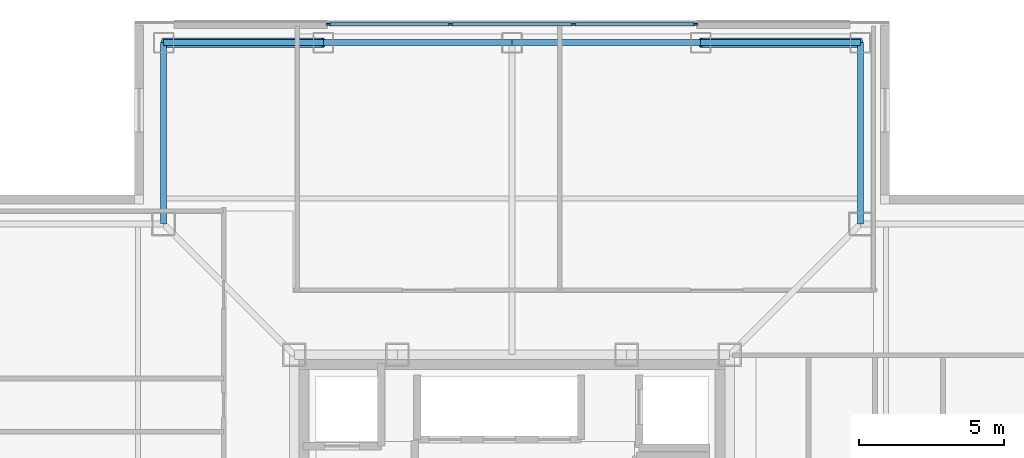
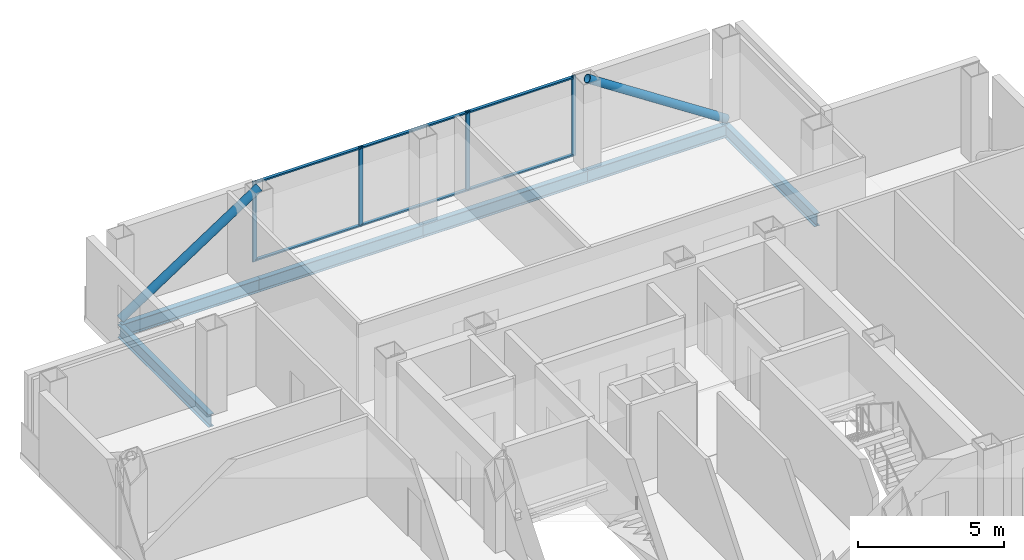
# One storey, part 7 of 16: 12 members, 6 beams, 1 element without a shape of its own.
"""IFC4 building model written with IfcOpenShell, lengths in metres."""

from ifc_helpers import new_model, si_unit, direction, frame, origin, origin_2d, place, context, subcontext, project, spatial, rectangle, hollow_circle, i_section, extrude, material, layer, layer_set, material_profile, profile_set, type_object, element, aggregate, save


model = new_model("IFC4")

# Units and contexts
model_context = context("Model", 3, precision=1e-05, world=origin(), true_north=direction((0.0, 1.0)))
body_context = subcontext(model_context, "Body", "Model", "MODEL_VIEW")
ifc_project = project(units=[si_unit("LENGTHUNIT", "METRE"), si_unit("AREAUNIT", "SQUARE_METRE"), si_unit("VOLUMEUNIT", "CUBIC_METRE"), si_unit("PLANEANGLEUNIT", "RADIAN"), si_unit("MASSUNIT", "GRAM", prefix="KILO")], contexts=[model_context])

# Site, building, storey
site_placement = place(None, origin())
site = spatial("IfcSite", under=ifc_project, at=site_placement, CompositionType="ELEMENT")
building_placement = place(site_placement, origin())
building = spatial("IfcBuilding", under=site, at=building_placement, Name="Trevonay Congress Spire", CompositionType="ELEMENT")
storey_placement = place(building_placement, frame((0.0, 0.0, 279.199951171875)))
storey = spatial("IfcBuildingStorey", under=building, at=storey_placement, Name="L73", CompositionType="ELEMENT", Elevation=279.199951171875)

# Beams
ifc_material_1 = material(Name="Steel ASTM A572 Grade 50", Category="steel")
ifc_material_profile_1 = material_profile(ifc_material_1, i_section(OverallWidth=0.208984375, OverallDepth=0.532958984375, WebThickness=0.01025390625, FlangeThickness=0.015625, FilletRadius=0.014892578125, at=origin_2d()), Name="W530x92")
ifc_profile_set_1 = profile_set([ifc_material_profile_1], Name="Steel ASTM A572 Grade 50")
beam_type = type_object("IfcBeamType", Name="BM-RING-W530X92", PredefinedType="BEAM", material=ifc_profile_set_1)
beam_1_placement = place(storey_placement, frame((-12.0, 18.25, -0.50634765625), z_axis=(1.0, 0.0, 0.0), x_axis=(0.0, 1.0, 0.0)))
element("IfcBeam", 1, at=beam_1_placement, inside=storey, type_object=beam_type, Name="L73 structural beam BM-L73-PN1", PredefinedType="BEAM", context=body_context, shape_type="SweptSolid", body=[
    extrude(i_section(OverallWidth=0.208984375, OverallDepth=0.532958984375, WebThickness=0.01025390625, FlangeThickness=0.015625, FilletRadius=0.014892578125, at=origin_2d()), origin(), (0.0, 0.0, 1.0), 5.5),
])
for number, where, z_axis, x_axis, name in (
    (2, (-6.5, 18.25, -0.50634765625), (1.0, 0.0, 0.0), (0.0, 1.0, 0.0), "L73 structural beam BM-L73-PN2"),
    (3, (0.0, 18.25, -0.50634765625), (1.0, 0.0, 0.0), (0.0, 1.0, 0.0), "L73 structural beam BM-L73-PN3"),
):
    element("IfcBeam", number, at=place(storey_placement, frame(where, z_axis=z_axis, x_axis=x_axis)), inside=storey, type_object=beam_type, Name=name, PredefinedType="BEAM", context=body_context, shape_type="SweptSolid", body=[
        extrude(i_section(OverallWidth=0.208984375, OverallDepth=0.532958984375, WebThickness=0.01025390625, FlangeThickness=0.015625, FilletRadius=0.014892578125, at=origin_2d()), origin(), (0.0, 0.0, 1.0), 6.5),
    ])
beam_2_placement = place(storey_placement, frame((6.5, 18.25, -0.50634765625), z_axis=(1.0, 0.0, 0.0), x_axis=(0.0, 1.0, 0.0)))
element("IfcBeam", 4, at=beam_2_placement, inside=storey, type_object=beam_type, Name="L73 structural beam BM-L73-PN4", PredefinedType="BEAM", context=body_context, shape_type="SweptSolid", body=[
    extrude(i_section(OverallWidth=0.208984375, OverallDepth=0.532958984375, WebThickness=0.01025390625, FlangeThickness=0.015625, FilletRadius=0.014892578125, at=origin_2d()), origin(), (0.0, 0.0, 1.0), 5.5),
])
for number, where, z_axis, x_axis, name in (
    (5, (12.0, 18.25, -0.50634765625), (0.0, -1.0, 0.0), (1.0, 0.0, 0.0), "L73 structural beam BM-L73-N1NE"),
    (6, (-12.0, 18.25, -0.50634765625), (0.0, -1.0, 0.0), (1.0, 0.0, 0.0), "L73 structural beam BM-L73-N1NW"),
):
    element("IfcBeam", number, at=place(storey_placement, frame(where, z_axis=z_axis, x_axis=x_axis)), inside=storey, type_object=beam_type, Name=name, PredefinedType="BEAM", context=body_context, shape_type="SweptSolid", body=[
        extrude(i_section(OverallWidth=0.208984375, OverallDepth=0.532958984375, WebThickness=0.01025390625, FlangeThickness=0.015625, FilletRadius=0.014892578125, at=origin_2d()), origin(), (0.0, 0.0, 1.0), 6.25),
    ])

# Curtain wall, members
ifc_material_2 = material(Name="Pale Anodised Aluminium EN AW-6063-T6", Category="aluminium")
ifc_layer = layer(ifc_material_2, 0.1650390625, Name="Pale Anodised Aluminium EN AW-6063-T6")
ifc_layer_set = layer_set([ifc_layer], Name="Pale Anodised Aluminium EN AW-6063-T6")
curtain_wall_type = type_object("IfcCurtainWallType", Name="CW-SYS05-DIPLOM-PALE-METAL", PredefinedType="NOTDEFINED", material=ifc_layer_set)
curtain_wall_placement = place(storey_placement, origin())
curtain_wall = element("IfcCurtainWall", 7, at=curtain_wall_placement, inside=storey, type_object=curtain_wall_type, Name="L73 N unitised curtain wall", PredefinedType="NOTDEFINED")
ifc_material_profile_2 = material_profile(ifc_material_2, rectangle(XDim=0.06005859375, YDim=0.159912109375, at=origin_2d()), Name="CW-MULLION-160-ALUMINIUM")
ifc_profile_set_2 = profile_set([ifc_material_profile_2], Name="Pale Anodised Aluminium EN AW-6063-T6")
member_type_1 = type_object("IfcMemberType", Name="CW-MULLION-160-ALUMINIUM", PredefinedType="MULLION", material=ifc_profile_set_2)
member_1_placement = place(storey_placement, frame((-6.320068359375, 18.8798828125, 0.0), z_axis=(0.0, 0.0, 1.0), x_axis=(0.0, 1.0, 0.0)))
member_1 = element("IfcMember", 8, at=member_1_placement, type_object=member_type_1, Name="CW05 mullion 1", PredefinedType="MULLION", context=body_context, shape_type="SweptSolid", body=[
    extrude(rectangle(XDim=0.06005859375, YDim=0.159912109375, at=origin_2d()), origin(), (0.0, 0.0, 1.0), 3.360107421875),
])
member_2_placement = place(storey_placement, frame((-2.11669921875, 18.8798828125, 0.0), z_axis=(0.0, 0.0, 1.0), x_axis=(0.0, 1.0, 0.0)))
member_2 = element("IfcMember", 9, at=member_2_placement, type_object=member_type_1, Name="CW05 mullion 2", PredefinedType="MULLION", context=body_context, shape_type="SweptSolid", body=[
    extrude(rectangle(XDim=0.06005859375, YDim=0.159912109375, at=origin_2d()), origin(), (0.0, 0.0, 1.0), 3.360107421875),
])
member_3_placement = place(storey_placement, frame((2.11669921875, 18.8798828125, 0.0), z_axis=(0.0, 0.0, 1.0), x_axis=(0.0, 1.0, 0.0)))
member_3 = element("IfcMember", 10, at=member_3_placement, type_object=member_type_1, Name="CW05 mullion 3", PredefinedType="MULLION", context=body_context, shape_type="SweptSolid", body=[
    extrude(rectangle(XDim=0.06005859375, YDim=0.159912109375, at=origin_2d()), origin(), (0.0, 0.0, 1.0), 3.360107421875),
])
member_4_placement = place(storey_placement, frame((6.320068359375, 18.8798828125, 0.0), z_axis=(0.0, 0.0, 1.0), x_axis=(0.0, 1.0, 0.0)))
member_4 = element("IfcMember", 11, at=member_4_placement, type_object=member_type_1, Name="CW05 mullion 4", PredefinedType="MULLION", context=body_context, shape_type="SweptSolid", body=[
    extrude(rectangle(XDim=0.06005859375, YDim=0.159912109375, at=origin_2d()), origin(), (0.0, 0.0, 1.0), 3.360107421875),
])
ifc_material_profile_3 = material_profile(ifc_material_2, rectangle(XDim=0.1201171875, YDim=0.06005859375, at=origin_2d()), Name="CW-TRANSOM-120-ALUMINIUM")
ifc_profile_set_3 = profile_set([ifc_material_profile_3], Name="Pale Anodised Aluminium EN AW-6063-T6")
member_type_2 = type_object("IfcMemberType", Name="CW-TRANSOM-120-ALUMINIUM", PredefinedType="USERDEFINED", material=ifc_profile_set_3)
member_5_placement = place(storey_placement, frame((-6.2900390625, 18.8798828125, 0.06005859375), z_axis=(1.0, 0.0, 0.0), x_axis=(0.0, 1.0, 0.0)))
member_5 = element("IfcMember", 12, at=member_5_placement, type_object=member_type_2, Name="CW05 transom 1.1", ObjectType="TRANSOM", PredefinedType="USERDEFINED", context=body_context, shape_type="SweptSolid", body=[
    extrude(rectangle(XDim=0.1201171875, YDim=0.06005859375, at=origin_2d()), origin(), (0.0, 0.0, 1.0), 4.143310546875),
])
member_6_placement = place(storey_placement, frame((-6.2900390625, 18.8798828125, 3.300048828125), z_axis=(1.0, 0.0, 0.0), x_axis=(0.0, 1.0, 0.0)))
member_6 = element("IfcMember", 13, at=member_6_placement, type_object=member_type_2, Name="CW05 transom 1.2", ObjectType="TRANSOM", PredefinedType="USERDEFINED", context=body_context, shape_type="SweptSolid", body=[
    extrude(rectangle(XDim=0.1201171875, YDim=0.06005859375, at=origin_2d()), origin(), (0.0, 0.0, 1.0), 4.143310546875),
])
member_7_placement = place(storey_placement, frame((-2.086669921875, 18.8798828125, 0.06005859375), z_axis=(1.0, 0.0, 0.0), x_axis=(0.0, 1.0, 0.0)))
member_7 = element("IfcMember", 14, at=member_7_placement, type_object=member_type_2, Name="CW05 transom 2.1", ObjectType="TRANSOM", PredefinedType="USERDEFINED", context=body_context, shape_type="SweptSolid", body=[
    extrude(rectangle(XDim=0.1201171875, YDim=0.06005859375, at=origin_2d()), origin(), (0.0, 0.0, 1.0), 4.17333984375),
])
member_8_placement = place(storey_placement, frame((-2.086669921875, 18.8798828125, 3.300048828125), z_axis=(1.0, 0.0, 0.0), x_axis=(0.0, 1.0, 0.0)))
member_8 = element("IfcMember", 15, at=member_8_placement, type_object=member_type_2, Name="CW05 transom 2.2", ObjectType="TRANSOM", PredefinedType="USERDEFINED", context=body_context, shape_type="SweptSolid", body=[
    extrude(rectangle(XDim=0.1201171875, YDim=0.06005859375, at=origin_2d()), origin(), (0.0, 0.0, 1.0), 4.17333984375),
])
member_9_placement = place(storey_placement, frame((2.146728515625, 18.8798828125, 0.06005859375), z_axis=(1.0, 0.0, 0.0), x_axis=(0.0, 1.0, 0.0)))
member_9 = element("IfcMember", 16, at=member_9_placement, type_object=member_type_2, Name="CW05 transom 3.1", ObjectType="TRANSOM", PredefinedType="USERDEFINED", context=body_context, shape_type="SweptSolid", body=[
    extrude(rectangle(XDim=0.1201171875, YDim=0.06005859375, at=origin_2d()), origin(), (0.0, 0.0, 1.0), 4.143310546875),
])
member_10_placement = place(storey_placement, frame((2.146728515625, 18.8798828125, 3.300048828125), z_axis=(1.0, 0.0, 0.0), x_axis=(0.0, 1.0, 0.0)))
member_10 = element("IfcMember", 17, at=member_10_placement, type_object=member_type_2, Name="CW05 transom 3.2", ObjectType="TRANSOM", PredefinedType="USERDEFINED", context=body_context, shape_type="SweptSolid", body=[
    extrude(rectangle(XDim=0.1201171875, YDim=0.06005859375, at=origin_2d()), origin(), (0.0, 0.0, 1.0), 4.143310546875),
])
aggregate(curtain_wall, [member_1, member_2, member_3, member_4, member_5, member_6, member_7, member_8, member_9, member_10])

# Members
ifc_material_3 = material(Name="Steel ASTM A500 Grade C", Category="steel")
ifc_material_profile_4 = material_profile(ifc_material_3, hollow_circle(Radius=0.161865234375, WallThickness=0.01611328125, at=origin_2d()), Name="CHS 323.9x16")
ifc_profile_set_4 = profile_set([ifc_material_profile_4], Name="Steel ASTM A500 Grade C")
member_type_3 = type_object("IfcMemberType", Name="MBR-TUBE-CHS324", PredefinedType="BRACE", material=ifc_profile_set_4)
for number, where, z_axis, x_axis, name in (
    (18, (-12.0, 18.25, -0.050048828125), (0.836694709366, 0.0, 0.547669574943), (0.0, 1.0, 0.0), "L73 perimeter braced-tube diagonal N0"),
    (19, (12.0, 18.25, -0.050048828125), (-0.836694709366, 0.0, 0.547669574943), (0.0, -1.0, 0.0), "L73 perimeter braced-tube diagonal N3"),
):
    element("IfcMember", number, at=place(storey_placement, frame(where, z_axis=z_axis, x_axis=x_axis)), inside=storey, type_object=member_type_3, Name=name, PredefinedType="BRACE", context=body_context, shape_type="SweptSolid", body=[
        extrude(hollow_circle(Radius=0.161865234375, WallThickness=0.01611328125, at=origin_2d()), origin(), (0.0, 0.0, 1.0), 6.573486328125),
    ])

save(model, "model.ifc")
